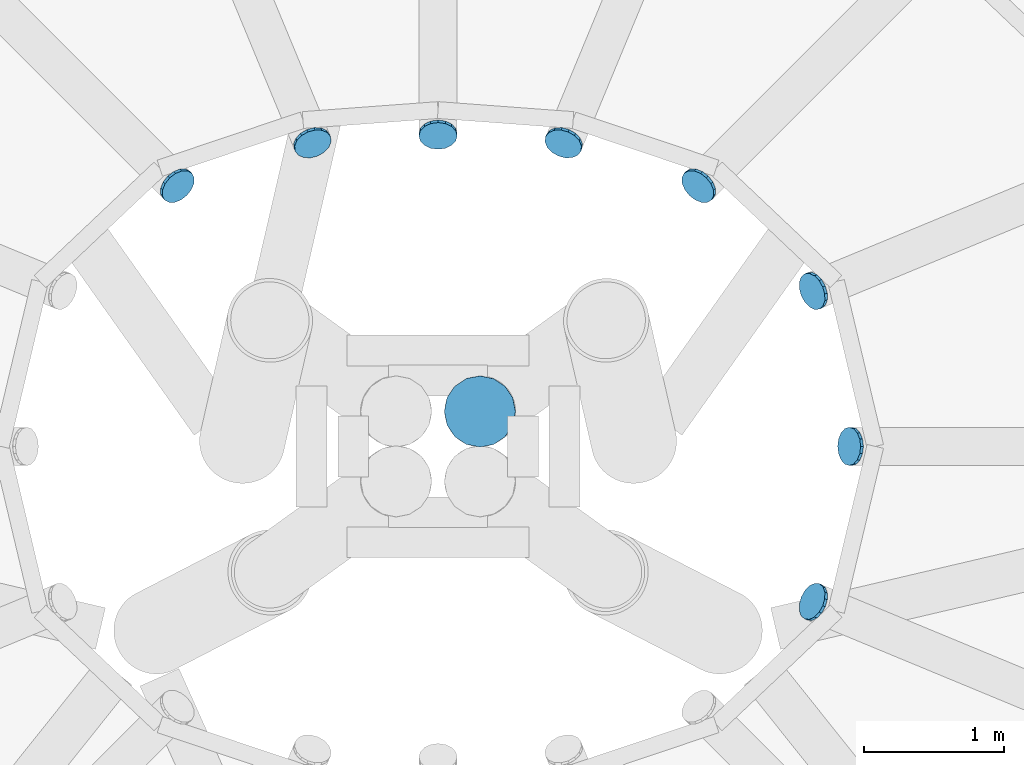
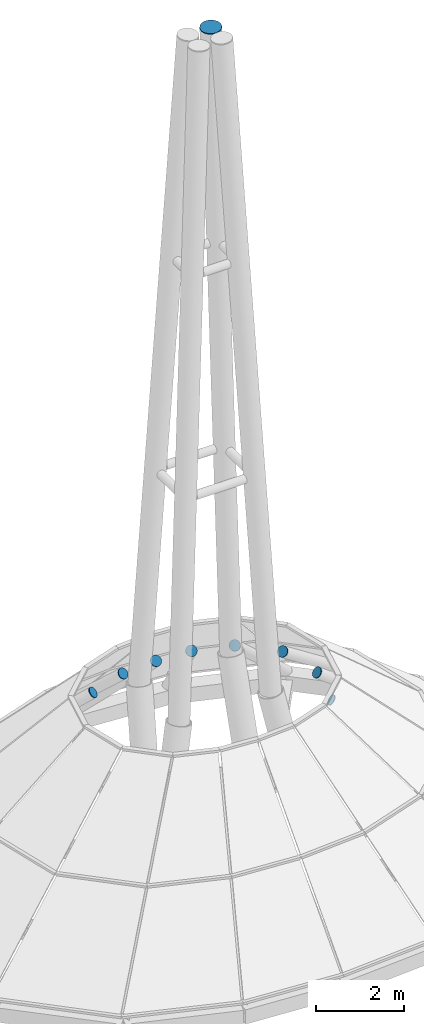
# One storey, part 4 of 4: 9 discrete accessories.
"""IFC4 building model written with IfcOpenShell, lengths in metres."""

from ifc_helpers import new_model, si_unit, direction, frame, origin, place, context, subcontext, project, spatial, polyline, outline, extrude, material, layer, layer_set, type_object, element, save


model = new_model("IFC4")

# Units and contexts
model_context = context("Model", 3, precision=1e-05, world=origin(), true_north=direction((0.0, 1.0)))
body_context = subcontext(model_context, "Body", "Model", "MODEL_VIEW")
ifc_project = project(units=[si_unit("LENGTHUNIT", "METRE"), si_unit("AREAUNIT", "SQUARE_METRE"), si_unit("VOLUMEUNIT", "CUBIC_METRE"), si_unit("PLANEANGLEUNIT", "RADIAN"), si_unit("MASSUNIT", "GRAM", prefix="KILO")], contexts=[model_context])

# Site, building, storey
site_placement = place(None, origin())
site = spatial("IfcSite", under=ifc_project, at=site_placement, CompositionType="ELEMENT")
building_placement = place(site_placement, origin())
building = spatial("IfcBuilding", under=site, at=building_placement, Name="Rubra Terraces Tower", CompositionType="ELEMENT")
storey_placement = place(building_placement, frame((0.0, 0.0, 333.0)))
storey = spatial("IfcBuildingStorey", under=building, at=storey_placement, Name="L82", CompositionType="ELEMENT", Elevation=333.0)

# Discrete accessories
ifc_material = material(Name="Steel Q355B", Category="steel")
ifc_layer_1 = layer(ifc_material, 0.02490234375)
ifc_layer_set_1 = layer_set([ifc_layer_1], Name="Steel Q355B")
discrete_accessory_type_1 = type_object("IfcDiscreteAccessoryType", Name="Crown post end plate 25", PredefinedType="ANCHORPLATE", material=ifc_layer_set_1)
discrete_accessory_1_placement = place(storey_placement, frame((2.93359375, 0.136474609375, 3.56494140625), z_axis=(-0.799883289372, 0.0, 0.600155582648), x_axis=(-0.588940936665, -0.19241436328, -0.78493648528)))
element("IfcDiscreteAccessory", 1, at=discrete_accessory_1_placement, inside=storey, type_object=discrete_accessory_type_1, Name="Crown post end plate L82", PredefinedType="ANCHORPLATE", context=body_context, shape_type="SweptSolid", body=[
    extrude(outline(polyline([(0.0, 0.0), (0.05329075270274, 0.0), (0.1024814032843386, 0.02070710631546182), (0.13992514993123578, 0.058396110211722065), (0.16023202947095555, 0.10765533798460872), (0.16003094765676373, 0.160935732535755), (0.13959257198332709, 0.20997416621262535), (0.10186410515179581, 0.24772422776413558), (0.05251935013350522, 0.26784882653801123), (-0.0006276181608694184, 0.2678206335315893), (-0.04981826874246801, 0.2471135272161275), (-0.08759743468183222, 0.20949029177399978), (-0.10776052981318662, 0.16020287099469124), (-0.10770323240736016, 0.10695066944996684), (-0.08692943744145648, 0.057846467318963944), (-0.04920097060992522, 0.020096405767453734), (0.0, 0.0)])), origin(), (0.0, 0.0, -1.0), 0.02490234375),
])
discrete_accessory_2_placement = place(storey_placement, frame((2.61669921875, 1.231689453125, 3.565185546875), z_axis=(-0.735286325195, -0.304063334117, 0.605722303392), x_axis=(-0.476526922555, -0.403586788188, -0.781050444261)))
element("IfcDiscreteAccessory", 2, at=discrete_accessory_2_placement, inside=storey, type_object=discrete_accessory_type_1, Name="Crown post end plate L82", PredefinedType="ANCHORPLATE", context=body_context, shape_type="SweptSolid", body=[
    extrude(outline(polyline([(0.0, 0.0), (0.053186770710605284, -2.6020852139652106e-18), (0.10240885580321256, 0.020597157401815253), (0.13979430484832558, 0.05856628993468055), (0.16014091921901044, 0.10783368806101168), (0.1597510658243404, 0.16096343039176864), (0.13930114378020164, 0.21013748548926114), (0.10133063016134329, 0.2476750077252264), (0.05210648346365216, 0.26787315923246324), (-0.0011788191776630139, 0.267662480839858), (-0.050210218126651746, 0.24702824885759458), (-0.08778635331538331, 0.20909619090517742), (-0.1079180961746565, 0.15992180751882573), (-0.10774311429139813, 0.10669905044808933), (-0.08698616652293907, 0.057370257117522895), (-0.04932267862840103, 0.019987473114631598), (0.0, 0.0)])), origin(), (0.0, 0.0, -1.0), 0.02490234375),
])
discrete_accessory_3_placement = place(storey_placement, frame((1.757080078125, 1.9501953125, 3.56591796875), z_axis=(-0.543458204493, -0.543458204493, 0.639770552572), x_axis=(-0.30329604686, -0.58353450146, -0.753325290671)))
element("IfcDiscreteAccessory", 3, at=discrete_accessory_3_placement, inside=storey, type_object=discrete_accessory_type_1, Name="Crown post end plate L82", PredefinedType="ANCHORPLATE", context=body_context, shape_type="SweptSolid", body=[
    extrude(outline(polyline([(0.0, 0.0), (0.05314252159381477, -8.673617379884035e-19), (0.10246037176403393, 0.01997096628239374), (0.14029867567844584, 0.05776181817207906), (0.16062880174391608, 0.10684180177475185), (0.16096078829788252, 0.15996475915858477), (0.1407742229788834, 0.20948635354213943), (0.10308736335602926, 0.24704684410645425), (0.05411831484097487, 0.2676904845043908), (0.0007178290534269015, 0.2679187625531404), (-0.04848452140095458, 0.2475721938349463), (-0.0862544077239114, 0.2101197622796534), (-0.10691091557456994, 0.16092963639133775), (-0.10698493793480315, 0.10757840095875529), (-0.08672995502434896, 0.058395226909593013), (-0.04929543030024268, 0.02053349811229374), (0.0, 0.0)])), origin(), (0.0, 0.0, -1.0), 0.02490234375),
])
discrete_accessory_4_placement = place(storey_placement, frame((0.76708984375, 2.21044921875, 3.56689453125), z_axis=(-0.280513704041, -0.676975400619, 0.680453061424), x_axis=(-0.072773455827, -0.691875491176, -0.718339981371)))
element("IfcDiscreteAccessory", 4, at=discrete_accessory_4_placement, inside=storey, type_object=discrete_accessory_type_1, Name="Crown post end plate L82", PredefinedType="ANCHORPLATE", context=body_context, shape_type="SweptSolid", body=[
    extrude(outline(polyline([(0.0, 0.0), (0.05314907508661605, 1.734723475976807e-18), (0.1023456135343343, 0.020291508149597855), (0.14003043154462907, 0.057809505167278896), (0.16057415839446865, 0.10685503772547093), (0.16071452956741367, 0.1601574724329093), (0.14055695412829233, 0.2094354856961237), (0.1029207894801384, 0.24712290369782297), (0.05394231698104686, 0.2676047541397061), (0.0006000989654273738, 0.2678737731851449), (-0.04859643948229089, 0.24758226503554703), (-0.08645017240742364, 0.21000298307408102), (-0.10682498434242521, 0.16101873545967393), (-0.10713427043020823, 0.10765501580845062), (-0.08680778007624891, 0.058438287489021155), (-0.049153848471106, 0.0205172055974867), (0.0, 0.0)])), origin(), (0.0, 0.0, -1.0), 0.02490234375),
])
discrete_accessory_5_placement = place(storey_placement, frame((-0.136474609375, 2.215576171875, 3.5673828125), z_axis=(0.0, -0.716370410371, 0.697720169656), x_axis=(0.192965319644, -0.684606922035, -0.702906642248)))
element("IfcDiscreteAccessory", 5, at=discrete_accessory_5_placement, inside=storey, type_object=discrete_accessory_type_1, Name="Crown post end plate L82", PredefinedType="ANCHORPLATE", context=body_context, shape_type="SweptSolid", body=[
    extrude(outline(polyline([(0.0, 0.0), (0.05313859645317805, -2.6020852139652106e-18), (0.10242197330552856, 0.020663532848233197), (0.13991869747106161, 0.05832524880900922), (0.1601628345150623, 0.10759084460301795), (0.16008206583225856, 0.16085356599438896), (0.1396394055610089, 0.20990972578386405), (0.10185103310149027, 0.24769691581701558), (0.05266973324256583, 0.2678192958253611), (-0.0008076116393922854, 0.2678859145853172), (-0.04992384812991775, 0.24718951166980874), (-0.08741610459032084, 0.20952691708362717), (-0.10766470933945152, 0.16026219991502397), (-0.10757947295151778, 0.10699859989824742), (-0.08714128038539809, 0.057943318734177865), (-0.04952004828770451, 0.0201889987683016), (0.0, 0.0)])), origin(), (0.0, 0.0, -1.0), 0.02490234375),
])
discrete_accessory_6_placement = place(storey_placement, frame((-1.019287109375, 2.10595703125, 3.56689453125), z_axis=(0.280513704041, -0.676975400619, 0.680453061424), x_axis=(0.436388635314, -0.541464630532, -0.718596557778)))
element("IfcDiscreteAccessory", 6, at=discrete_accessory_6_placement, inside=storey, type_object=discrete_accessory_type_1, Name="Crown post end plate L82", PredefinedType="ANCHORPLATE", context=body_context, shape_type="SweptSolid", body=[
    extrude(outline(polyline([(0.0, 0.0), (0.053088576604274594, 1.734723475976807e-18), (0.10235096187666196, 0.020249438568331505), (0.13995965812983846, 0.057935462567815885), (0.1603945124737179, 0.10716539226257937), (0.16036329864297852, 0.1603397093949532), (0.14007066908567012, 0.20949207245450116), (0.10251148408218286, 0.2471928989719243), (0.05347719687787357, 0.26769809004462736), (0.00021318166086009907, 0.2677331330431868), (-0.04915574380569577, 0.24727497536887771), (-0.08689663357218584, 0.20971065990577129), (-0.1071992944027517, 0.16035902167462984), (-0.10730027408532591, 0.10730641307863395), (-0.08687545101470392, 0.058032341482708055), (-0.04931626601121669, 0.020331514965284896), (0.0, 0.0)])), origin(), (0.0, 0.0, -1.0), 0.02490234375),
])
discrete_accessory_7_placement = place(storey_placement, frame((-1.9501953125, 1.757080078125, 3.56591796875), z_axis=(0.543458204493, -0.543458204493, 0.639770552572), x_axis=(0.58353450146, -0.30329604686, -0.753325290671)))
element("IfcDiscreteAccessory", 7, at=discrete_accessory_7_placement, inside=storey, type_object=discrete_accessory_type_1, Name="Crown post end plate L82", PredefinedType="ANCHORPLATE", context=body_context, shape_type="SweptSolid", body=[
    extrude(outline(polyline([(0.0, 0.0), (0.05314252159381477, -8.673617379884035e-19), (0.10246037176403393, 0.01997096628239374), (0.14029867567844584, 0.05776181817207906), (0.16062880174391608, 0.10684180177475185), (0.16096078829788252, 0.15996475915858477), (0.1407742229788834, 0.20948635354213943), (0.10308736335602926, 0.24704684410645425), (0.05411831484097487, 0.2676904845043908), (0.0007178290534269015, 0.2679187625531404), (-0.04848452140095458, 0.2475721938349463), (-0.0862544077239114, 0.2101197622796534), (-0.10691091557456994, 0.16092963639133775), (-0.10698493793480315, 0.10757840095875529), (-0.08672995502434896, 0.058395226909593013), (-0.04929543030024268, 0.02053349811229374), (0.0, 0.0)])), origin(), (0.0, 0.0, -1.0), 0.02490234375),
])
discrete_accessory_8_placement = place(storey_placement, frame((2.720947265625, -0.9794921875, 3.565185546875), z_axis=(-0.735286325195, 0.304063334117, 0.605722303392), x_axis=(-0.623811787652, 0.045791906934, -0.780231987838)))
element("IfcDiscreteAccessory", 8, at=discrete_accessory_8_placement, inside=storey, type_object=discrete_accessory_type_1, Name="Crown post end plate L82", PredefinedType="ANCHORPLATE", context=body_context, shape_type="SweptSolid", body=[
    extrude(outline(polyline([(0.0, 0.0), (0.05320697268615376, 2.6020852139652106e-18), (0.10258498765773963, 0.020313471332131596), (0.14017132036525393, 0.058043493859856424), (0.16070082487719117, 0.10704819720857908), (0.1605798941319127, 0.16035154241544788), (0.14040658821973748, 0.2096705504567379), (0.10268802371161752, 0.24741133006376004), (0.05348256676374258, 0.2676018126031479), (0.0002644144128099851, 0.2678341247672194), (-0.0487708164339004, 0.24754725719239007), (-0.08669993326629019, 0.20979063090736302), (-0.10706596031372898, 0.16061830707400035), (-0.10710850703294895, 0.10748258235177151), (-0.08674471479561788, 0.05812548638835223), (-0.04921663661265378, 0.02042279470345936), (0.0, 0.0)])), origin(), (0.0, 0.0, -1.0), 0.02490234375),
])
ifc_layer_2 = layer(ifc_material, 0.02490234375)
ifc_layer_set_2 = layer_set([ifc_layer_2], Name="Steel Q355B")
discrete_accessory_type_2 = type_object("IfcDiscreteAccessoryType", Name="Spire leg end plate 25", PredefinedType="ANCHORPLATE", material=ifc_layer_set_2)
discrete_accessory_9_placement = place(storey_placement, frame((0.299072265625, 0.5029296875, 22.23388671875), z_axis=(-0.049384225957, -0.035599175193, 0.998145228387), x_axis=(-0.979858846011, -0.191875043848, -0.055322775071)))
element("IfcDiscreteAccessory", 9, at=discrete_accessory_9_placement, inside=storey, type_object=discrete_accessory_type_2, Name="Spire leg end plate", PredefinedType="ANCHORPLATE", context=body_context, shape_type="SweptSolid", body=[
    extrude(outline(polyline([(0.0, 0.0), (0.09913489493019953, 1.3010426069826053e-18), (0.19140253481955102, 0.0379943123197047), (0.2612376692402073, 0.10794379782964998), (0.29877799167017854, 0.19944978118971313), (0.2990112643251752, 0.2992021100032021), (0.26092576002353757, 0.3902848330027767), (0.19006862380901235, 0.4604112209328464), (0.09842252289665909, 0.49850184760393224), (-0.00042630418933642703, 0.4986940558313342), (-0.09172986901997683, 0.46029615423971654), (-0.1618064075606714, 0.3893640710049014), (-0.19934672999064265, 0.29785808764483823), (-0.1993926246731312, 0.19906354545641158), (-0.1613071203714935, 0.10798082245683699), (-0.09136003306814926, 0.03828283489848773), (0.0, 0.0)])), origin(), (0.0, 0.0, -1.0), 0.02490234375),
])

save(model, "model.ifc")
